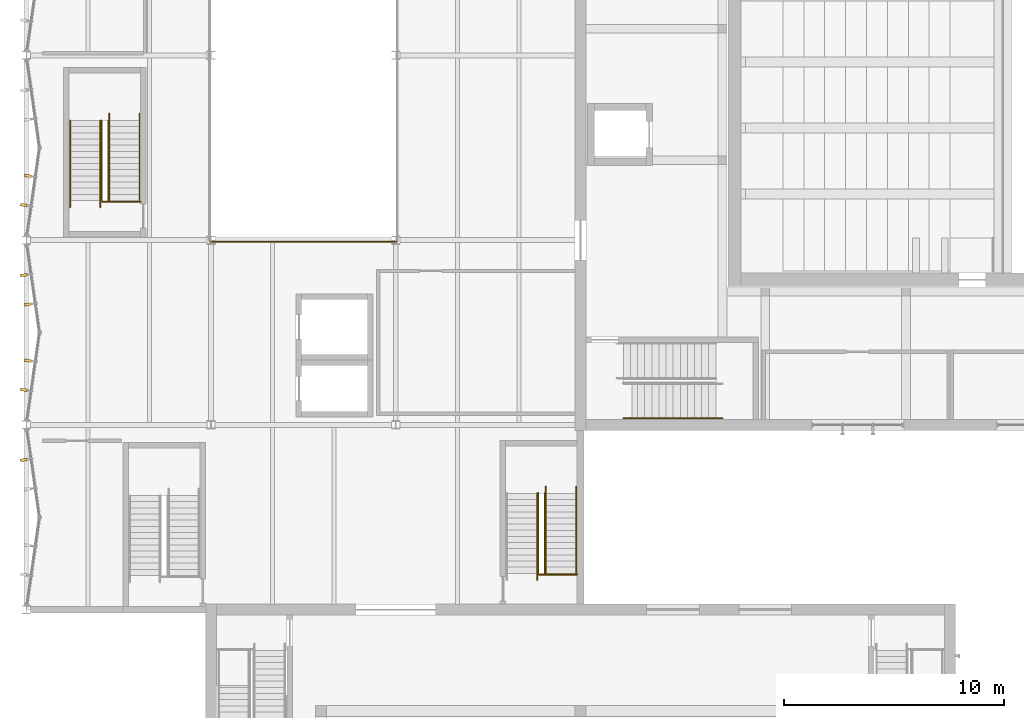
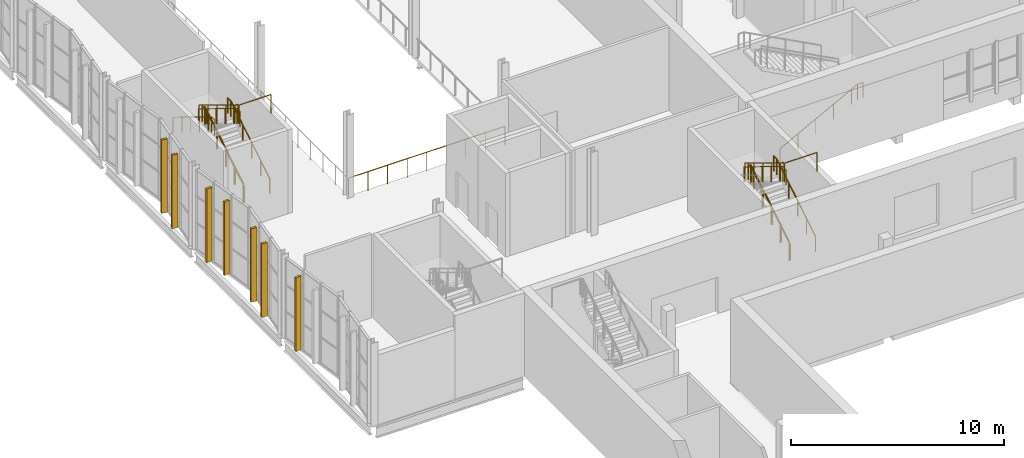
# One storey, part 110 of 127: 15 railings, 7 shading devices.
"""IFC4 building model written with IfcOpenShell, lengths in metres."""

from ifc_helpers import new_model, si_unit, direction, frame, origin, origin_2d, place, context, subcontext, project, spatial, rectangle, circle, extrude, material, type_object, element, save


model = new_model("IFC4")

# Units and contexts
model_context = context("Model", 3, precision=1e-05, world=origin(), true_north=direction((0.0, 1.0)))
body_context = subcontext(model_context, "Body", "Model", "MODEL_VIEW")
ifc_project = project(units=[si_unit("LENGTHUNIT", "METRE"), si_unit("AREAUNIT", "SQUARE_METRE"), si_unit("VOLUMEUNIT", "CUBIC_METRE"), si_unit("PLANEANGLEUNIT", "RADIAN"), si_unit("MASSUNIT", "GRAM", prefix="KILO")], contexts=[model_context])

# Site, building, storey
site_placement = place(None, origin())
site = spatial("IfcSite", under=ifc_project, at=site_placement, CompositionType="ELEMENT")
building_placement = place(site_placement, origin())
building = spatial("IfcBuilding", under=site, at=building_placement, Name="Ljudholm Concert House", CompositionType="ELEMENT")
storey_placement = place(building_placement, frame((0.0, 0.0, 5.39990234375)))
storey = spatial("IfcBuildingStorey", under=building, at=storey_placement, Name="L01", CompositionType="ELEMENT", Elevation=5.39990234375)

# Shading devices
ifc_material_1 = material(Name="Aluminium extrusion with timber-grain PVDF finish", Category="aluminium")
shading_device_type = type_object("IfcShadingDeviceType", Name="FACADE FIN 300x120", PredefinedType="SHUTTER", material=ifc_material_1)
for number, where, z_axis, x_axis, name in (
    (1, (3.874267578125, 52.805419921875, 0.2001953125), (0.0, 0.0, 1.0), (-0.989949493662, -0.141421356235, 0.0), "Facade fin"),
    (2, (3.874267578125, 55.99462890625, 0.2001953125), (0.0, 0.0, 1.0), (-0.989949493662, 0.141421356235, 0.0), "Facade fin"),
    (3, (4.06396484375, 57.322021484375, 0.2001953125), (0.0, 0.0, 1.0), (-0.989949493662, 0.141421356235, 0.0), "Facade fin"),
    (4, (4.06396484375, 59.8779296875, 0.2001953125), (0.0, 0.0, 1.0), (-0.989949493662, -0.141421356235, 0.0), "Facade fin"),
    (5, (3.874267578125, 61.205322265625, 0.2001953125), (0.0, 0.0, 1.0), (-0.989949493662, -0.141421356235, 0.0), "Facade fin"),
    (6, (3.874267578125, 64.394775390625, 0.2001953125), (0.0, 0.0, 1.0), (-0.989949493662, 0.141421356235, 0.0), "Facade fin"),
    (7, (4.06396484375, 65.72216796875, 0.2001953125), (0.0, 0.0, 1.0), (-0.989949493662, 0.141421356235, 0.0), "Facade fin"),
):
    element("IfcShadingDevice", number, at=place(storey_placement, frame(where, z_axis=z_axis, x_axis=x_axis)), inside=storey, type_object=shading_device_type, Name=name, PredefinedType="SHUTTER", context=body_context, shape_type="SweptSolid", body=[
        extrude(rectangle(XDim=0.300048828125, YDim=0.1201171875, at=origin_2d()), origin(), (0.0, 0.0, 1.0), 4.219970703125),
    ])

# Railings
ifc_material_2 = material(Name="Steel ASTM A36", Category="steel")
railing_type_1 = type_object("IfcRailingType", Name="GUARD 1100", PredefinedType="GUARDRAIL", material=ifc_material_2)
railing_1_placement = place(storey_placement, frame((27.574951171875, 47.64990234375, 0.171630859375)))
element("IfcRailing", 8, at=railing_1_placement, inside=storey, type_object=railing_type_1, Name="Guard", PredefinedType="GUARDRAIL", context=body_context, shape_type="SweptSolid", body=[
    extrude(circle(Radius=0.02490234375, at=origin_2d()), frame((0.0, 0.0, 1.0751953125), z_axis=(0.0, 0.852932391421, 0.522021393877), x_axis=(-1.0, 0.0, 0.0)), (0.0, 0.0, 1.0), 0.98486328125),
    extrude(circle(Radius=0.02490234375, at=origin_2d()), frame((0.0, 0.840087890625, 1.58935546875), z_axis=(0.0, 0.852822021269, 0.522201685212), x_axis=(-1.0, 0.0, 0.0)), (0.0, 0.0, 1.0), 0.985107421875),
    extrude(circle(Radius=0.02490234375, at=origin_2d()), frame((0.0, 1.68017578125, 2.103515625), z_axis=(0.0, 0.85286482292, 0.522131778218), x_axis=(-1.0, 0.0, 0.0)), (0.0, 0.0, 1.0), 0.984619140625),
    extrude(circle(Radius=0.02490234375, at=origin_2d()), frame((0.0, 2.52001953125, 2.61767578125), z_axis=(0.0, 0.852822021269, 0.522201685212), x_axis=(-1.0, 0.0, 0.0)), (0.0, 0.0, 1.0), 0.985107421875),
    extrude(circle(Radius=0.02490234375, at=origin_2d()), frame((0.0, 3.360107421875, 3.13232421875), z_axis=(0.0, 0.852932391421, 0.522021393877), x_axis=(-1.0, 0.0, 0.0)), (0.0, 0.0, 1.0), 0.328369140625),
    extrude(circle(Radius=0.02099609375, at=origin_2d()), origin(), (0.0, 0.0, 1.0), 1.050048828125),
    extrude(circle(Radius=0.02099609375, at=origin_2d()), frame((0.0, 0.840087890625, 0.51416015625)), (0.0, 0.0, 1.0), 1.050048828125),
    extrude(circle(Radius=0.02099609375, at=origin_2d()), frame((0.0, 1.68017578125, 1.028564453125)), (0.0, 0.0, 1.0), 1.050048828125),
    extrude(circle(Radius=0.02099609375, at=origin_2d()), frame((0.0, 2.52001953125, 1.542724609375)), (0.0, 0.0, 1.0), 1.050048828125),
    extrude(circle(Radius=0.02099609375, at=origin_2d()), frame((0.0, 3.360107421875, 2.05712890625)), (0.0, 0.0, 1.0), 1.050048828125),
    extrude(circle(Radius=0.02099609375, at=origin_2d()), frame((0.0, 3.64013671875, 2.228515625)), (0.0, 0.0, 1.0), 1.050048828125),
])
railing_2_placement = place(storey_placement, frame((27.27490234375, 51.2900390625, 2.571533203125)))
element("IfcRailing", 9, at=railing_2_placement, inside=storey, type_object=railing_type_1, Name="Guard", PredefinedType="GUARDRAIL", context=body_context, shape_type="SweptSolid", body=[
    extrude(circle(Radius=0.02490234375, at=origin_2d()), frame((0.0, 0.0, 1.0751953125), z_axis=(0.0, -0.852932391421, 0.522021393877), x_axis=(1.0, 0.0, 0.0)), (0.0, 0.0, 1.0), 0.98486328125),
    extrude(circle(Radius=0.02490234375, at=origin_2d()), frame((0.0, -0.840087890625, 1.58935546875), z_axis=(0.0, -0.852754414843, 0.522312079092), x_axis=(1.0, 0.0, 0.0)), (0.0, 0.0, 1.0), 0.98486328125),
    extrude(circle(Radius=0.02490234375, at=origin_2d()), frame((0.0, -1.679931640625, 2.103515625), z_axis=(0.0, -0.852822021269, 0.522201685212), x_axis=(1.0, 0.0, 0.0)), (0.0, 0.0, 1.0), 0.985107421875),
    extrude(circle(Radius=0.02490234375, at=origin_2d()), frame((0.0, -2.52001953125, 2.6181640625), z_axis=(0.0, -0.852932391421, 0.522021393877), x_axis=(1.0, 0.0, 0.0)), (0.0, 0.0, 1.0), 0.98486328125),
    extrude(circle(Radius=0.02490234375, at=origin_2d()), frame((0.0, -3.360107421875, 3.13232421875), z_axis=(0.0, -0.852932391421, 0.522021393877), x_axis=(1.0, 0.0, 0.0)), (0.0, 0.0, 1.0), 0.328369140625),
    extrude(circle(Radius=0.02099609375, at=origin_2d()), origin(), (0.0, 0.0, 1.0), 1.050048828125),
    extrude(circle(Radius=0.02099609375, at=origin_2d()), frame((0.0, -0.840087890625, 0.51416015625)), (0.0, 0.0, 1.0), 1.050048828125),
    extrude(circle(Radius=0.02099609375, at=origin_2d()), frame((0.0, -1.679931640625, 1.028564453125)), (0.0, 0.0, 1.0), 1.050048828125),
    extrude(circle(Radius=0.02099609375, at=origin_2d()), frame((0.0, -2.52001953125, 1.54296875)), (0.0, 0.0, 1.0), 1.050048828125),
    extrude(circle(Radius=0.02099609375, at=origin_2d()), frame((0.0, -3.360107421875, 2.05712890625)), (0.0, 0.0, 1.0), 1.050048828125),
    extrude(circle(Radius=0.02099609375, at=origin_2d()), frame((0.0, -3.64013671875, 2.228515625)), (0.0, 0.0, 1.0), 1.050048828125),
])
railing_3_placement = place(storey_placement, frame((29.050048828125, 47.60009765625, 4.800048828125)))
element("IfcRailing", 10, at=railing_3_placement, inside=storey, type_object=railing_type_1, Name="Guard", PredefinedType="GUARDRAIL", context=body_context, shape_type="SweptSolid", body=[
    extrude(circle(Radius=0.02490234375, at=origin_2d()), frame((0.0, 0.0, 1.0751953125), z_axis=(-1.0, 0.0, 0.0), x_axis=(0.0, -1.0, 0.0)), (0.0, 0.0, 1.0), 1.75),
    extrude(circle(Radius=0.02099609375, at=origin_2d()), origin(), (0.0, 0.0, 1.0), 1.050048828125),
    extrude(circle(Radius=0.02099609375, at=origin_2d()), frame((-1.75, 0.0, 0.0)), (0.0, 0.0, 1.0), 1.050048828125),
])
railing_4_placement = place(storey_placement, frame((7.72509765625, 64.60009765625, 0.171630859375)))
element("IfcRailing", 11, at=railing_4_placement, inside=storey, type_object=railing_type_1, Name="Guard", PredefinedType="GUARDRAIL", context=body_context, shape_type="SweptSolid", body=[
    extrude(circle(Radius=0.02490234375, at=origin_2d()), frame((0.0, 0.0, 1.0751953125), z_axis=(0.0, 0.85286482292, 0.522131778218), x_axis=(-1.0, 0.0, 0.0)), (0.0, 0.0, 1.0), 0.984619140625),
    extrude(circle(Radius=0.02490234375, at=origin_2d()), frame((0.0, 0.83984375, 1.58935546875), z_axis=(0.0, 0.852822021269, 0.522201685212), x_axis=(-1.0, 0.0, 0.0)), (0.0, 0.0, 1.0), 0.985107421875),
    extrude(circle(Radius=0.02490234375, at=origin_2d()), frame((0.0, 1.679931640625, 2.103515625), z_axis=(0.0, 0.852932391421, 0.522021393877), x_axis=(-1.0, 0.0, 0.0)), (0.0, 0.0, 1.0), 0.98486328125),
    extrude(circle(Radius=0.02490234375, at=origin_2d()), frame((0.0, 2.52001953125, 2.61767578125), z_axis=(0.0, 0.852754414843, 0.522312079092), x_axis=(-1.0, 0.0, 0.0)), (0.0, 0.0, 1.0), 0.98486328125),
    extrude(circle(Radius=0.02490234375, at=origin_2d()), frame((0.0, 3.35986328125, 3.13232421875), z_axis=(0.0, 0.852932391421, 0.522021393877), x_axis=(-1.0, 0.0, 0.0)), (0.0, 0.0, 1.0), 0.328369140625),
    extrude(circle(Radius=0.02099609375, at=origin_2d()), origin(), (0.0, 0.0, 1.0), 1.050048828125),
    extrude(circle(Radius=0.02099609375, at=origin_2d()), frame((0.0, 0.83984375, 0.51416015625)), (0.0, 0.0, 1.0), 1.050048828125),
    extrude(circle(Radius=0.02099609375, at=origin_2d()), frame((0.0, 1.679931640625, 1.028564453125)), (0.0, 0.0, 1.0), 1.050048828125),
    extrude(circle(Radius=0.02099609375, at=origin_2d()), frame((0.0, 2.52001953125, 1.542724609375)), (0.0, 0.0, 1.0), 1.050048828125),
    extrude(circle(Radius=0.02099609375, at=origin_2d()), frame((0.0, 3.35986328125, 2.05712890625)), (0.0, 0.0, 1.0), 1.050048828125),
    extrude(circle(Radius=0.02099609375, at=origin_2d()), frame((0.0, 3.639892578125, 2.228515625)), (0.0, 0.0, 1.0), 1.050048828125),
])
railing_5_placement = place(storey_placement, frame((7.425048828125, 68.239990234375, 2.571533203125)))
element("IfcRailing", 12, at=railing_5_placement, inside=storey, type_object=railing_type_1, Name="Guard", PredefinedType="GUARDRAIL", context=body_context, shape_type="SweptSolid", body=[
    extrude(circle(Radius=0.02490234375, at=origin_2d()), frame((0.0, 0.0, 1.0751953125), z_axis=(0.0, -0.852932391421, 0.522021393877), x_axis=(1.0, 0.0, 0.0)), (0.0, 0.0, 1.0), 0.98486328125),
    extrude(circle(Radius=0.02490234375, at=origin_2d()), frame((0.0, -0.840087890625, 1.58935546875), z_axis=(0.0, -0.852754414843, 0.522312079092), x_axis=(1.0, 0.0, 0.0)), (0.0, 0.0, 1.0), 0.98486328125),
    extrude(circle(Radius=0.02490234375, at=origin_2d()), frame((0.0, -1.679931640625, 2.103515625), z_axis=(0.0, -0.852822021269, 0.522201685212), x_axis=(1.0, 0.0, 0.0)), (0.0, 0.0, 1.0), 0.985107421875),
    extrude(circle(Radius=0.02490234375, at=origin_2d()), frame((0.0, -2.52001953125, 2.6181640625), z_axis=(0.0, -0.852932391421, 0.522021393877), x_axis=(1.0, 0.0, 0.0)), (0.0, 0.0, 1.0), 0.98486328125),
    extrude(circle(Radius=0.02490234375, at=origin_2d()), frame((0.0, -3.360107421875, 3.13232421875), z_axis=(0.0, -0.852729557261, 0.522352660731), x_axis=(1.0, 0.0, 0.0)), (0.0, 0.0, 1.0), 0.328125),
    extrude(circle(Radius=0.02099609375, at=origin_2d()), origin(), (0.0, 0.0, 1.0), 1.050048828125),
    extrude(circle(Radius=0.02099609375, at=origin_2d()), frame((0.0, -0.840087890625, 0.51416015625)), (0.0, 0.0, 1.0), 1.050048828125),
    extrude(circle(Radius=0.02099609375, at=origin_2d()), frame((0.0, -1.679931640625, 1.028564453125)), (0.0, 0.0, 1.0), 1.050048828125),
    extrude(circle(Radius=0.02099609375, at=origin_2d()), frame((0.0, -2.52001953125, 1.54296875)), (0.0, 0.0, 1.0), 1.050048828125),
    extrude(circle(Radius=0.02099609375, at=origin_2d()), frame((0.0, -3.360107421875, 2.05712890625)), (0.0, 0.0, 1.0), 1.050048828125),
    extrude(circle(Radius=0.02099609375, at=origin_2d()), frame((0.0, -3.639892578125, 2.228515625)), (0.0, 0.0, 1.0), 1.050048828125),
])
railing_6_placement = place(storey_placement, frame((9.199951171875, 64.550048828125, 4.800048828125)))
element("IfcRailing", 13, at=railing_6_placement, inside=storey, type_object=railing_type_1, Name="Guard", PredefinedType="GUARDRAIL", context=body_context, shape_type="SweptSolid", body=[
    extrude(circle(Radius=0.02490234375, at=origin_2d()), frame((0.0, 0.0, 1.0751953125), z_axis=(-1.0, 0.0, 0.0), x_axis=(0.0, -1.0, 0.0)), (0.0, 0.0, 1.0), 1.75),
    extrude(circle(Radius=0.02099609375, at=origin_2d()), origin(), (0.0, 0.0, 1.0), 1.050048828125),
    extrude(circle(Radius=0.02099609375, at=origin_2d()), frame((-1.75, 0.0, 0.0)), (0.0, 0.0, 1.0), 1.050048828125),
])
railing_7_placement = place(storey_placement, frame((12.360107421875, 62.72998046875, 0.0)))
element("IfcRailing", 14, at=railing_7_placement, inside=storey, type_object=railing_type_1, Name="Atrium guard", PredefinedType="GUARDRAIL", context=body_context, shape_type="SweptSolid", body=[
    extrude(circle(Radius=0.02490234375, at=origin_2d()), frame((0.0, 0.0, 1.0751953125), z_axis=(1.0, 0.0, 0.0), x_axis=(0.0, 1.0, 0.0)), (0.0, 0.0, 1.0), 8.47998046875),
    extrude(circle(Radius=0.02099609375, at=origin_2d()), origin(), (0.0, 0.0, 1.0), 1.050048828125),
    extrude(circle(Radius=0.02099609375, at=origin_2d()), frame((1.06005859375, 0.0, 0.0)), (0.0, 0.0, 1.0), 1.050048828125),
    extrude(circle(Radius=0.02099609375, at=origin_2d()), frame((2.1201171875, 0.0, 0.0)), (0.0, 0.0, 1.0), 1.050048828125),
    extrude(circle(Radius=0.02099609375, at=origin_2d()), frame((3.179931640625, 0.0, 0.0)), (0.0, 0.0, 1.0), 1.050048828125),
    extrude(circle(Radius=0.02099609375, at=origin_2d()), frame((4.239990234375, 0.0, 0.0)), (0.0, 0.0, 1.0), 1.050048828125),
    extrude(circle(Radius=0.02099609375, at=origin_2d()), frame((5.300048828125, 0.0, 0.0)), (0.0, 0.0, 1.0), 1.050048828125),
    extrude(circle(Radius=0.02099609375, at=origin_2d()), frame((6.35986328125, 0.0, 0.0)), (0.0, 0.0, 1.0), 1.050048828125),
    extrude(circle(Radius=0.02099609375, at=origin_2d()), frame((7.419921875, 0.0, 0.0)), (0.0, 0.0, 1.0), 1.050048828125),
    extrude(circle(Radius=0.02099609375, at=origin_2d()), frame((8.47998046875, 0.0, 0.0)), (0.0, 0.0, 1.0), 1.050048828125),
])
ifc_material_3 = material(Name="Steel ASTM A36", Category="steel")
railing_type_2 = type_object("IfcRailingType", Name="HANDRAIL 900", PredefinedType="HANDRAIL", material=ifc_material_3)
railing_8_placement = place(storey_placement, frame((31.14990234375, 54.699951171875, 0.171630859375)))
element("IfcRailing", 15, at=railing_8_placement, inside=storey, type_object=railing_type_2, Name="Handrail", PredefinedType="HANDRAIL", context=body_context, shape_type="SweptSolid", body=[
    extrude(circle(Radius=0.0224609375, at=origin_2d()), frame((0.0, 0.0, 0.87744140625), z_axis=(0.883397901953, 0.0, 0.468623672925), x_axis=(0.0, 1.0, 0.0)), (0.0, 0.0, 1.0), 1.09716796875),
    extrude(circle(Radius=0.0224609375, at=origin_2d()), frame((0.96923828125, 0.0, 1.3916015625), z_axis=(0.883305776083, 0.0, 0.468797297281), x_axis=(0.0, 1.0, 0.0)), (0.0, 0.0, 1.0), 1.09716796875),
    extrude(circle(Radius=0.0224609375, at=origin_2d()), frame((1.9384765625, 0.0, 1.906005859375), z_axis=(0.883397901953, 0.0, 0.468623672925), x_axis=(0.0, 1.0, 0.0)), (0.0, 0.0, 1.0), 1.09716796875),
    extrude(circle(Radius=0.0224609375, at=origin_2d()), frame((2.90771484375, 0.0, 2.420166015625), z_axis=(0.883305776083, 0.0, 0.468797297281), x_axis=(0.0, 1.0, 0.0)), (0.0, 0.0, 1.0), 1.09716796875),
    extrude(circle(Radius=0.0224609375, at=origin_2d()), frame((3.876953125, 0.0, 2.9345703125), z_axis=(0.883495578036, 0.0, 0.468439498324), x_axis=(0.0, 1.0, 0.0)), (0.0, 0.0, 1.0), 0.365966796875),
    extrude(circle(Radius=0.0224609375, at=origin_2d()), frame((4.2001953125, 0.0, 3.10595703125), z_axis=(1.0, 0.0, 0.0), x_axis=(0.0, 1.0, 0.0)), (0.0, 0.0, 1.0), 0.2998046875),
    extrude(circle(Radius=0.02099609375, at=origin_2d()), origin(), (0.0, 0.0, 1.0), 0.85498046875),
    extrude(circle(Radius=0.02099609375, at=origin_2d()), frame((0.96923828125, 0.0, 0.51416015625)), (0.0, 0.0, 1.0), 0.85498046875),
    extrude(circle(Radius=0.02099609375, at=origin_2d()), frame((1.9384765625, 0.0, 1.028564453125)), (0.0, 0.0, 1.0), 0.85498046875),
    extrude(circle(Radius=0.02099609375, at=origin_2d()), frame((2.90771484375, 0.0, 1.542724609375)), (0.0, 0.0, 1.0), 0.85498046875),
    extrude(circle(Radius=0.02099609375, at=origin_2d()), frame((3.876953125, 0.0, 2.05712890625)), (0.0, 0.0, 1.0), 0.85498046875),
    extrude(circle(Radius=0.02099609375, at=origin_2d()), frame((4.2001953125, 0.0, 2.228515625)), (0.0, 0.0, 1.0), 0.85498046875),
    extrude(circle(Radius=0.02099609375, at=origin_2d()), frame((4.5, 0.0, 2.228515625)), (0.0, 0.0, 1.0), 0.85498046875),
])
railing_9_placement = place(storey_placement, frame((27.625, 47.64990234375, 0.171630859375)))
element("IfcRailing", 16, at=railing_9_placement, inside=storey, type_object=railing_type_2, Name="Handrail", PredefinedType="HANDRAIL", context=body_context, shape_type="SweptSolid", body=[
    extrude(circle(Radius=0.0224609375, at=origin_2d()), frame((0.0, 0.0, 0.87744140625), z_axis=(0.0, 0.852932391421, 0.522021393877), x_axis=(-1.0, 0.0, 0.0)), (0.0, 0.0, 1.0), 0.98486328125),
    extrude(circle(Radius=0.0224609375, at=origin_2d()), frame((0.0, 0.840087890625, 1.3916015625), z_axis=(0.0, 0.852822021269, 0.522201685212), x_axis=(-1.0, 0.0, 0.0)), (0.0, 0.0, 1.0), 0.985107421875),
    extrude(circle(Radius=0.0224609375, at=origin_2d()), frame((0.0, 1.68017578125, 1.906005859375), z_axis=(0.0, 0.85286482292, 0.522131778218), x_axis=(-1.0, 0.0, 0.0)), (0.0, 0.0, 1.0), 0.984619140625),
    extrude(circle(Radius=0.0224609375, at=origin_2d()), frame((0.0, 2.52001953125, 2.420166015625), z_axis=(0.0, 0.852822021269, 0.522201685212), x_axis=(-1.0, 0.0, 0.0)), (0.0, 0.0, 1.0), 0.985107421875),
    extrude(circle(Radius=0.0224609375, at=origin_2d()), frame((0.0, 3.360107421875, 2.9345703125), z_axis=(0.0, 0.852932391421, 0.522021393877), x_axis=(-1.0, 0.0, 0.0)), (0.0, 0.0, 1.0), 0.328369140625),
    extrude(circle(Radius=0.0224609375, at=origin_2d()), frame((0.0, 3.64013671875, 3.10595703125), z_axis=(0.0, 1.0, 0.0), x_axis=(-1.0, 0.0, 0.0)), (0.0, 0.0, 1.0), 0.300048828125),
    extrude(circle(Radius=0.02099609375, at=origin_2d()), origin(), (0.0, 0.0, 1.0), 0.85498046875),
    extrude(circle(Radius=0.02099609375, at=origin_2d()), frame((0.0, 0.840087890625, 0.51416015625)), (0.0, 0.0, 1.0), 0.85498046875),
    extrude(circle(Radius=0.02099609375, at=origin_2d()), frame((0.0, 1.68017578125, 1.028564453125)), (0.0, 0.0, 1.0), 0.85498046875),
    extrude(circle(Radius=0.02099609375, at=origin_2d()), frame((0.0, 2.52001953125, 1.542724609375)), (0.0, 0.0, 1.0), 0.85498046875),
    extrude(circle(Radius=0.02099609375, at=origin_2d()), frame((0.0, 3.360107421875, 2.05712890625)), (0.0, 0.0, 1.0), 0.85498046875),
    extrude(circle(Radius=0.02099609375, at=origin_2d()), frame((0.0, 3.64013671875, 2.228515625)), (0.0, 0.0, 1.0), 0.85498046875),
    extrude(circle(Radius=0.02099609375, at=origin_2d()), frame((0.0, 3.940185546875, 2.228515625)), (0.0, 0.0, 1.0), 0.85498046875),
])
railing_10_placement = place(storey_placement, frame((29.0, 47.64990234375, 0.171630859375)))
element("IfcRailing", 17, at=railing_10_placement, inside=storey, type_object=railing_type_2, Name="Handrail", PredefinedType="HANDRAIL", context=body_context, shape_type="SweptSolid", body=[
    extrude(circle(Radius=0.0224609375, at=origin_2d()), frame((0.0, 0.0, 0.87744140625), z_axis=(0.0, 0.852932391421, 0.522021393877), x_axis=(-1.0, 0.0, 0.0)), (0.0, 0.0, 1.0), 0.98486328125),
    extrude(circle(Radius=0.0224609375, at=origin_2d()), frame((0.0, 0.840087890625, 1.3916015625), z_axis=(0.0, 0.852822021269, 0.522201685212), x_axis=(-1.0, 0.0, 0.0)), (0.0, 0.0, 1.0), 0.985107421875),
    extrude(circle(Radius=0.0224609375, at=origin_2d()), frame((0.0, 1.68017578125, 1.906005859375), z_axis=(0.0, 0.85286482292, 0.522131778218), x_axis=(-1.0, 0.0, 0.0)), (0.0, 0.0, 1.0), 0.984619140625),
    extrude(circle(Radius=0.0224609375, at=origin_2d()), frame((0.0, 2.52001953125, 2.420166015625), z_axis=(0.0, 0.852822021269, 0.522201685212), x_axis=(-1.0, 0.0, 0.0)), (0.0, 0.0, 1.0), 0.985107421875),
    extrude(circle(Radius=0.0224609375, at=origin_2d()), frame((0.0, 3.360107421875, 2.9345703125), z_axis=(0.0, 0.852932391421, 0.522021393877), x_axis=(-1.0, 0.0, 0.0)), (0.0, 0.0, 1.0), 0.328369140625),
    extrude(circle(Radius=0.0224609375, at=origin_2d()), frame((0.0, 3.64013671875, 3.10595703125), z_axis=(0.0, 1.0, 0.0), x_axis=(-1.0, 0.0, 0.0)), (0.0, 0.0, 1.0), 0.300048828125),
    extrude(circle(Radius=0.02099609375, at=origin_2d()), origin(), (0.0, 0.0, 1.0), 0.85498046875),
    extrude(circle(Radius=0.02099609375, at=origin_2d()), frame((0.0, 0.840087890625, 0.51416015625)), (0.0, 0.0, 1.0), 0.85498046875),
    extrude(circle(Radius=0.02099609375, at=origin_2d()), frame((0.0, 1.68017578125, 1.028564453125)), (0.0, 0.0, 1.0), 0.85498046875),
    extrude(circle(Radius=0.02099609375, at=origin_2d()), frame((0.0, 2.52001953125, 1.542724609375)), (0.0, 0.0, 1.0), 0.85498046875),
    extrude(circle(Radius=0.02099609375, at=origin_2d()), frame((0.0, 3.360107421875, 2.05712890625)), (0.0, 0.0, 1.0), 0.85498046875),
    extrude(circle(Radius=0.02099609375, at=origin_2d()), frame((0.0, 3.64013671875, 2.228515625)), (0.0, 0.0, 1.0), 0.85498046875),
    extrude(circle(Radius=0.02099609375, at=origin_2d()), frame((0.0, 3.940185546875, 2.228515625)), (0.0, 0.0, 1.0), 0.85498046875),
])
railing_11_placement = place(storey_placement, frame((27.22509765625, 51.2900390625, 2.571533203125)))
element("IfcRailing", 18, at=railing_11_placement, inside=storey, type_object=railing_type_2, Name="Handrail", PredefinedType="HANDRAIL", context=body_context, shape_type="SweptSolid", body=[
    extrude(circle(Radius=0.0224609375, at=origin_2d()), frame((0.0, 0.0, 0.87744140625), z_axis=(0.0, -0.852932391421, 0.522021393877), x_axis=(1.0, 0.0, 0.0)), (0.0, 0.0, 1.0), 0.98486328125),
    extrude(circle(Radius=0.0224609375, at=origin_2d()), frame((0.0, -0.840087890625, 1.3916015625), z_axis=(0.0, -0.852754414843, 0.522312079092), x_axis=(1.0, 0.0, 0.0)), (0.0, 0.0, 1.0), 0.98486328125),
    extrude(circle(Radius=0.0224609375, at=origin_2d()), frame((0.0, -1.679931640625, 1.906005859375), z_axis=(0.0, -0.852822021269, 0.522201685212), x_axis=(1.0, 0.0, 0.0)), (0.0, 0.0, 1.0), 0.985107421875),
    extrude(circle(Radius=0.0224609375, at=origin_2d()), frame((0.0, -2.52001953125, 2.42041015625), z_axis=(0.0, -0.852932391421, 0.522021393877), x_axis=(1.0, 0.0, 0.0)), (0.0, 0.0, 1.0), 0.98486328125),
    extrude(circle(Radius=0.0224609375, at=origin_2d()), frame((0.0, -3.360107421875, 2.9345703125), z_axis=(0.0, -0.852932391421, 0.522021393877), x_axis=(1.0, 0.0, 0.0)), (0.0, 0.0, 1.0), 0.328369140625),
    extrude(circle(Radius=0.0224609375, at=origin_2d()), frame((0.0, -3.64013671875, 3.10595703125), z_axis=(0.0, -1.0, 0.0), x_axis=(1.0, 0.0, 0.0)), (0.0, 0.0, 1.0), 0.2998046875),
    extrude(circle(Radius=0.02099609375, at=origin_2d()), origin(), (0.0, 0.0, 1.0), 0.85498046875),
    extrude(circle(Radius=0.02099609375, at=origin_2d()), frame((0.0, -0.840087890625, 0.51416015625)), (0.0, 0.0, 1.0), 0.85498046875),
    extrude(circle(Radius=0.02099609375, at=origin_2d()), frame((0.0, -1.679931640625, 1.028564453125)), (0.0, 0.0, 1.0), 0.85498046875),
    extrude(circle(Radius=0.02099609375, at=origin_2d()), frame((0.0, -2.52001953125, 1.54296875)), (0.0, 0.0, 1.0), 0.85498046875),
    extrude(circle(Radius=0.02099609375, at=origin_2d()), frame((0.0, -3.360107421875, 2.05712890625)), (0.0, 0.0, 1.0), 0.85498046875),
    extrude(circle(Radius=0.02099609375, at=origin_2d()), frame((0.0, -3.64013671875, 2.228515625)), (0.0, 0.0, 1.0), 0.85498046875),
    extrude(circle(Radius=0.02099609375, at=origin_2d()), frame((0.0, -3.93994140625, 2.228515625)), (0.0, 0.0, 1.0), 0.85498046875),
])
railing_12_placement = place(storey_placement, frame((7.77490234375, 64.60009765625, 0.171630859375)))
element("IfcRailing", 19, at=railing_12_placement, inside=storey, type_object=railing_type_2, Name="Handrail", PredefinedType="HANDRAIL", context=body_context, shape_type="SweptSolid", body=[
    extrude(circle(Radius=0.0224609375, at=origin_2d()), frame((0.0, 0.0, 0.87744140625), z_axis=(0.0, 0.85286482292, 0.522131778218), x_axis=(-1.0, 0.0, 0.0)), (0.0, 0.0, 1.0), 0.984619140625),
    extrude(circle(Radius=0.0224609375, at=origin_2d()), frame((0.0, 0.83984375, 1.3916015625), z_axis=(0.0, 0.852822021269, 0.522201685212), x_axis=(-1.0, 0.0, 0.0)), (0.0, 0.0, 1.0), 0.985107421875),
    extrude(circle(Radius=0.0224609375, at=origin_2d()), frame((0.0, 1.679931640625, 1.906005859375), z_axis=(0.0, 0.852932391421, 0.522021393877), x_axis=(-1.0, 0.0, 0.0)), (0.0, 0.0, 1.0), 0.98486328125),
    extrude(circle(Radius=0.0224609375, at=origin_2d()), frame((0.0, 2.52001953125, 2.420166015625), z_axis=(0.0, 0.852754414843, 0.522312079092), x_axis=(-1.0, 0.0, 0.0)), (0.0, 0.0, 1.0), 0.98486328125),
    extrude(circle(Radius=0.0224609375, at=origin_2d()), frame((0.0, 3.35986328125, 2.9345703125), z_axis=(0.0, 0.852932391421, 0.522021393877), x_axis=(-1.0, 0.0, 0.0)), (0.0, 0.0, 1.0), 0.328369140625),
    extrude(circle(Radius=0.0224609375, at=origin_2d()), frame((0.0, 3.639892578125, 3.10595703125), z_axis=(0.0, 1.0, 0.0), x_axis=(-1.0, 0.0, 0.0)), (0.0, 0.0, 1.0), 0.300048828125),
    extrude(circle(Radius=0.02099609375, at=origin_2d()), origin(), (0.0, 0.0, 1.0), 0.85498046875),
    extrude(circle(Radius=0.02099609375, at=origin_2d()), frame((0.0, 0.83984375, 0.51416015625)), (0.0, 0.0, 1.0), 0.85498046875),
    extrude(circle(Radius=0.02099609375, at=origin_2d()), frame((0.0, 1.679931640625, 1.028564453125)), (0.0, 0.0, 1.0), 0.85498046875),
    extrude(circle(Radius=0.02099609375, at=origin_2d()), frame((0.0, 2.52001953125, 1.542724609375)), (0.0, 0.0, 1.0), 0.85498046875),
    extrude(circle(Radius=0.02099609375, at=origin_2d()), frame((0.0, 3.35986328125, 2.05712890625)), (0.0, 0.0, 1.0), 0.85498046875),
    extrude(circle(Radius=0.02099609375, at=origin_2d()), frame((0.0, 3.639892578125, 2.228515625)), (0.0, 0.0, 1.0), 0.85498046875),
    extrude(circle(Radius=0.02099609375, at=origin_2d()), frame((0.0, 3.93994140625, 2.228515625)), (0.0, 0.0, 1.0), 0.85498046875),
])
railing_13_placement = place(storey_placement, frame((9.14990234375, 64.60009765625, 0.171630859375)))
element("IfcRailing", 20, at=railing_13_placement, inside=storey, type_object=railing_type_2, Name="Handrail", PredefinedType="HANDRAIL", context=body_context, shape_type="SweptSolid", body=[
    extrude(circle(Radius=0.0224609375, at=origin_2d()), frame((0.0, 0.0, 0.87744140625), z_axis=(0.0, 0.85286482292, 0.522131778218), x_axis=(-1.0, 0.0, 0.0)), (0.0, 0.0, 1.0), 0.984619140625),
    extrude(circle(Radius=0.0224609375, at=origin_2d()), frame((0.0, 0.83984375, 1.3916015625), z_axis=(0.0, 0.852822021269, 0.522201685212), x_axis=(-1.0, 0.0, 0.0)), (0.0, 0.0, 1.0), 0.985107421875),
    extrude(circle(Radius=0.0224609375, at=origin_2d()), frame((0.0, 1.679931640625, 1.906005859375), z_axis=(0.0, 0.852932391421, 0.522021393877), x_axis=(-1.0, 0.0, 0.0)), (0.0, 0.0, 1.0), 0.98486328125),
    extrude(circle(Radius=0.0224609375, at=origin_2d()), frame((0.0, 2.52001953125, 2.420166015625), z_axis=(0.0, 0.852754414843, 0.522312079092), x_axis=(-1.0, 0.0, 0.0)), (0.0, 0.0, 1.0), 0.98486328125),
    extrude(circle(Radius=0.0224609375, at=origin_2d()), frame((0.0, 3.35986328125, 2.9345703125), z_axis=(0.0, 0.852932391421, 0.522021393877), x_axis=(-1.0, 0.0, 0.0)), (0.0, 0.0, 1.0), 0.328369140625),
    extrude(circle(Radius=0.0224609375, at=origin_2d()), frame((0.0, 3.639892578125, 3.10595703125), z_axis=(0.0, 1.0, 0.0), x_axis=(-1.0, 0.0, 0.0)), (0.0, 0.0, 1.0), 0.300048828125),
    extrude(circle(Radius=0.02099609375, at=origin_2d()), origin(), (0.0, 0.0, 1.0), 0.85498046875),
    extrude(circle(Radius=0.02099609375, at=origin_2d()), frame((0.0, 0.83984375, 0.51416015625)), (0.0, 0.0, 1.0), 0.85498046875),
    extrude(circle(Radius=0.02099609375, at=origin_2d()), frame((0.0, 1.679931640625, 1.028564453125)), (0.0, 0.0, 1.0), 0.85498046875),
    extrude(circle(Radius=0.02099609375, at=origin_2d()), frame((0.0, 2.52001953125, 1.542724609375)), (0.0, 0.0, 1.0), 0.85498046875),
    extrude(circle(Radius=0.02099609375, at=origin_2d()), frame((0.0, 3.35986328125, 2.05712890625)), (0.0, 0.0, 1.0), 0.85498046875),
    extrude(circle(Radius=0.02099609375, at=origin_2d()), frame((0.0, 3.639892578125, 2.228515625)), (0.0, 0.0, 1.0), 0.85498046875),
    extrude(circle(Radius=0.02099609375, at=origin_2d()), frame((0.0, 3.93994140625, 2.228515625)), (0.0, 0.0, 1.0), 0.85498046875),
])
railing_14_placement = place(storey_placement, frame((7.375, 68.239990234375, 2.571533203125)))
element("IfcRailing", 21, at=railing_14_placement, inside=storey, type_object=railing_type_2, Name="Handrail", PredefinedType="HANDRAIL", context=body_context, shape_type="SweptSolid", body=[
    extrude(circle(Radius=0.0224609375, at=origin_2d()), frame((0.0, 0.0, 0.87744140625), z_axis=(0.0, -0.852932391421, 0.522021393877), x_axis=(1.0, 0.0, 0.0)), (0.0, 0.0, 1.0), 0.98486328125),
    extrude(circle(Radius=0.0224609375, at=origin_2d()), frame((0.0, -0.840087890625, 1.3916015625), z_axis=(0.0, -0.852754414843, 0.522312079092), x_axis=(1.0, 0.0, 0.0)), (0.0, 0.0, 1.0), 0.98486328125),
    extrude(circle(Radius=0.0224609375, at=origin_2d()), frame((0.0, -1.679931640625, 1.906005859375), z_axis=(0.0, -0.852822021269, 0.522201685212), x_axis=(1.0, 0.0, 0.0)), (0.0, 0.0, 1.0), 0.985107421875),
    extrude(circle(Radius=0.0224609375, at=origin_2d()), frame((0.0, -2.52001953125, 2.42041015625), z_axis=(0.0, -0.852932391421, 0.522021393877), x_axis=(1.0, 0.0, 0.0)), (0.0, 0.0, 1.0), 0.98486328125),
    extrude(circle(Radius=0.0224609375, at=origin_2d()), frame((0.0, -3.360107421875, 2.9345703125), z_axis=(0.0, -0.852729557261, 0.522352660731), x_axis=(1.0, 0.0, 0.0)), (0.0, 0.0, 1.0), 0.328125),
    extrude(circle(Radius=0.0224609375, at=origin_2d()), frame((0.0, -3.639892578125, 3.10595703125), z_axis=(0.0, -1.0, 0.0), x_axis=(1.0, 0.0, 0.0)), (0.0, 0.0, 1.0), 0.300048828125),
    extrude(circle(Radius=0.02099609375, at=origin_2d()), origin(), (0.0, 0.0, 1.0), 0.85498046875),
    extrude(circle(Radius=0.02099609375, at=origin_2d()), frame((0.0, -0.840087890625, 0.51416015625)), (0.0, 0.0, 1.0), 0.85498046875),
    extrude(circle(Radius=0.02099609375, at=origin_2d()), frame((0.0, -1.679931640625, 1.028564453125)), (0.0, 0.0, 1.0), 0.85498046875),
    extrude(circle(Radius=0.02099609375, at=origin_2d()), frame((0.0, -2.52001953125, 1.54296875)), (0.0, 0.0, 1.0), 0.85498046875),
    extrude(circle(Radius=0.02099609375, at=origin_2d()), frame((0.0, -3.360107421875, 2.05712890625)), (0.0, 0.0, 1.0), 0.85498046875),
    extrude(circle(Radius=0.02099609375, at=origin_2d()), frame((0.0, -3.639892578125, 2.228515625)), (0.0, 0.0, 1.0), 0.85498046875),
    extrude(circle(Radius=0.02099609375, at=origin_2d()), frame((0.0, -3.93994140625, 2.228515625)), (0.0, 0.0, 1.0), 0.85498046875),
])
railing_15_placement = place(storey_placement, frame((6.0, 68.239990234375, 2.571533203125)))
element("IfcRailing", 22, at=railing_15_placement, inside=storey, type_object=railing_type_2, Name="Handrail", PredefinedType="HANDRAIL", context=body_context, shape_type="SweptSolid", body=[
    extrude(circle(Radius=0.0224609375, at=origin_2d()), frame((0.0, 0.0, 0.87744140625), z_axis=(0.0, -0.852932391421, 0.522021393877), x_axis=(1.0, 0.0, 0.0)), (0.0, 0.0, 1.0), 0.98486328125),
    extrude(circle(Radius=0.0224609375, at=origin_2d()), frame((0.0, -0.840087890625, 1.3916015625), z_axis=(0.0, -0.852754414843, 0.522312079092), x_axis=(1.0, 0.0, 0.0)), (0.0, 0.0, 1.0), 0.98486328125),
    extrude(circle(Radius=0.0224609375, at=origin_2d()), frame((0.0, -1.679931640625, 1.906005859375), z_axis=(0.0, -0.852822021269, 0.522201685212), x_axis=(1.0, 0.0, 0.0)), (0.0, 0.0, 1.0), 0.985107421875),
    extrude(circle(Radius=0.0224609375, at=origin_2d()), frame((0.0, -2.52001953125, 2.42041015625), z_axis=(0.0, -0.852932391421, 0.522021393877), x_axis=(1.0, 0.0, 0.0)), (0.0, 0.0, 1.0), 0.98486328125),
    extrude(circle(Radius=0.0224609375, at=origin_2d()), frame((0.0, -3.360107421875, 2.9345703125), z_axis=(0.0, -0.852729557261, 0.522352660731), x_axis=(1.0, 0.0, 0.0)), (0.0, 0.0, 1.0), 0.328125),
    extrude(circle(Radius=0.0224609375, at=origin_2d()), frame((0.0, -3.639892578125, 3.10595703125), z_axis=(0.0, -1.0, 0.0), x_axis=(1.0, 0.0, 0.0)), (0.0, 0.0, 1.0), 0.300048828125),
    extrude(circle(Radius=0.02099609375, at=origin_2d()), origin(), (0.0, 0.0, 1.0), 0.85498046875),
    extrude(circle(Radius=0.02099609375, at=origin_2d()), frame((0.0, -0.840087890625, 0.51416015625)), (0.0, 0.0, 1.0), 0.85498046875),
    extrude(circle(Radius=0.02099609375, at=origin_2d()), frame((0.0, -1.679931640625, 1.028564453125)), (0.0, 0.0, 1.0), 0.85498046875),
    extrude(circle(Radius=0.02099609375, at=origin_2d()), frame((0.0, -2.52001953125, 1.54296875)), (0.0, 0.0, 1.0), 0.85498046875),
    extrude(circle(Radius=0.02099609375, at=origin_2d()), frame((0.0, -3.360107421875, 2.05712890625)), (0.0, 0.0, 1.0), 0.85498046875),
    extrude(circle(Radius=0.02099609375, at=origin_2d()), frame((0.0, -3.639892578125, 2.228515625)), (0.0, 0.0, 1.0), 0.85498046875),
    extrude(circle(Radius=0.02099609375, at=origin_2d()), frame((0.0, -3.93994140625, 2.228515625)), (0.0, 0.0, 1.0), 0.85498046875),
])

save(model, "model.ifc")
